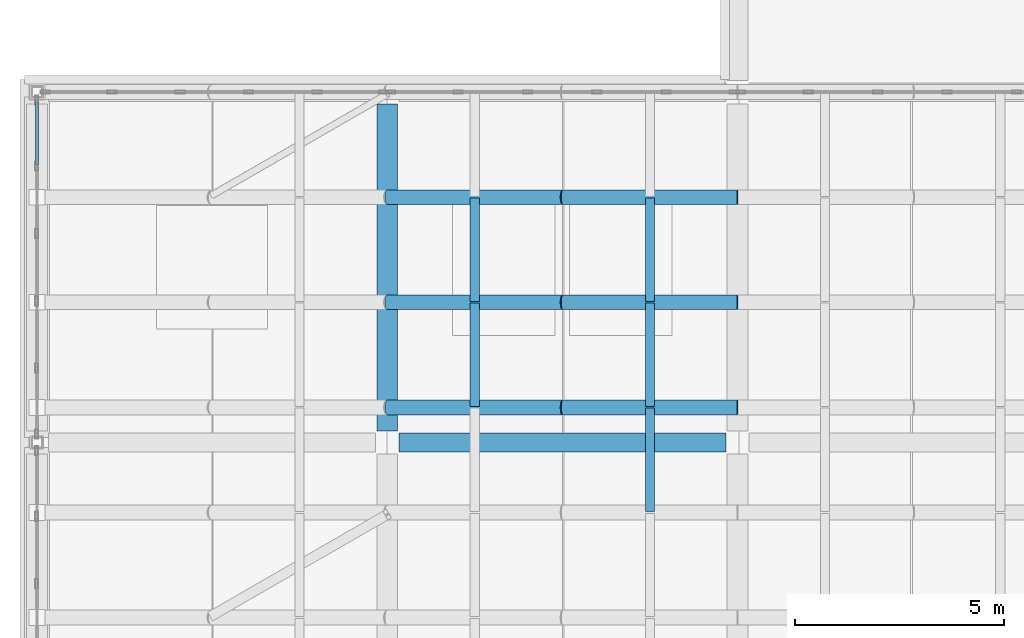
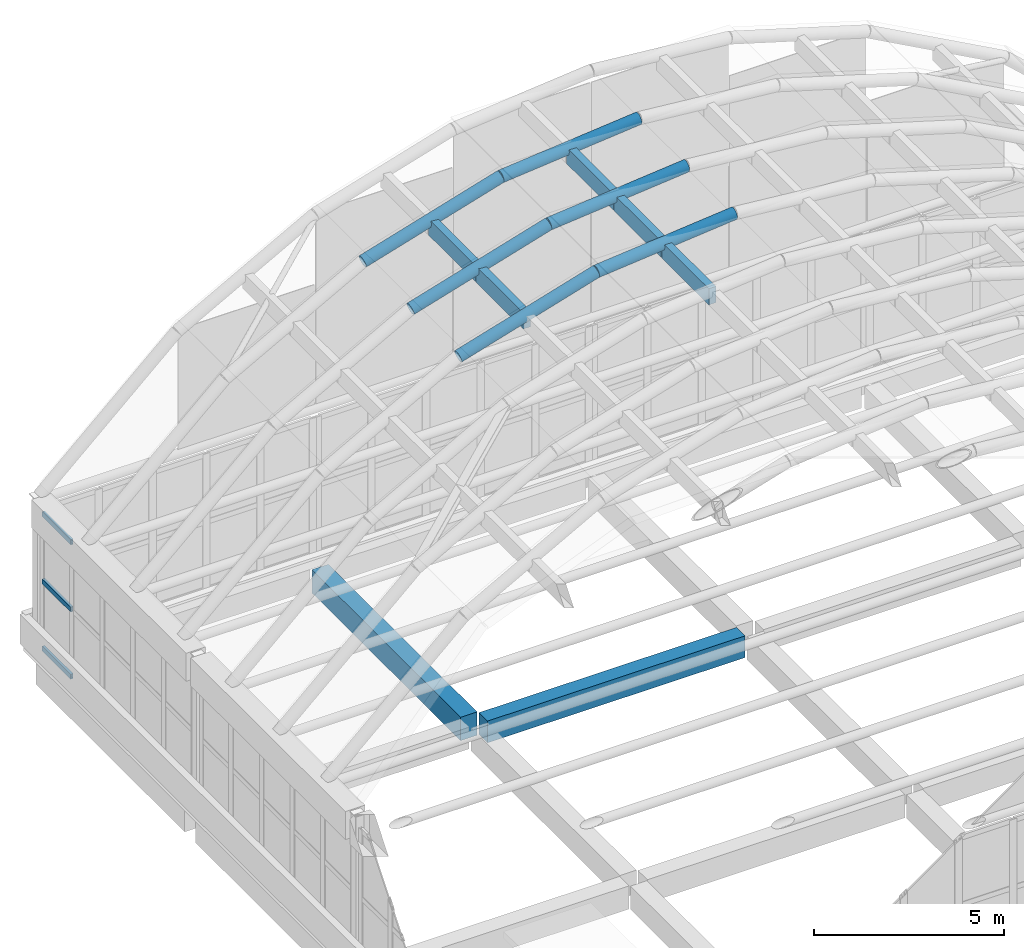
# One storey, part 14 of 26: 8 beams, 8 members, 1 element without a shape of its own.
"""IFC4 building model written with IfcOpenShell, lengths in metres."""

from ifc_helpers import new_model, si_unit, direction, frame, origin, origin_2d, place, context, subcontext, project, spatial, rectangle, hollow_rectangle, hollow_circle, extrude, material, layer, layer_set, material_profile, profile_set, type_object, element, aggregate, save


model = new_model("IFC4")

# Units and contexts
model_context = context("Model", 3, precision=1e-05, world=origin(), true_north=direction((0.0, 1.0)))
body_context = subcontext(model_context, "Body", "Model", "MODEL_VIEW")
ifc_project = project(units=[si_unit("LENGTHUNIT", "METRE"), si_unit("AREAUNIT", "SQUARE_METRE"), si_unit("VOLUMEUNIT", "CUBIC_METRE"), si_unit("PLANEANGLEUNIT", "RADIAN"), si_unit("MASSUNIT", "GRAM", prefix="KILO")], contexts=[model_context])

# Site, building, storey
site_placement = place(None, origin())
site = spatial("IfcSite", under=ifc_project, at=site_placement, CompositionType="ELEMENT")
building_placement = place(site_placement, origin())
building = spatial("IfcBuilding", under=site, at=building_placement, Name="Xazarin Passage Department Store", CompositionType="ELEMENT")
storey_placement = place(building_placement, frame((0.0, 0.0, 36.89990234375)))
storey = spatial("IfcBuildingStorey", under=building, at=storey_placement, Name="RF", CompositionType="ELEMENT", Elevation=36.89990234375)

# Curtain wall, members
ifc_material_1 = material(Name="Bronze anodised aluminium", Category="aluminium")
ifc_layer = layer(ifc_material_1, 0.199951171875)
ifc_layer_set = layer_set([ifc_layer], Name="Bronze anodised aluminium")
curtain_wall_type = type_object("IfcCurtainWallType", Name="ARC-CW-VIT2", PredefinedType="NOTDEFINED", material=ifc_layer_set)
curtain_wall_placement = place(storey_placement, origin())
curtain_wall = element("IfcCurtainWall", 1, at=curtain_wall_placement, inside=storey, type_object=curtain_wall_type, Name="RF V1 Atrium Lantern Curtain Wall 05", PredefinedType="NOTDEFINED")
ifc_material_profile_1 = material_profile(ifc_material_1, hollow_rectangle(XDim=0.074951171875, YDim=0.159912109375, WallThickness=0.00439453125, at=origin_2d()), Name="ALU 75x160")
ifc_profile_set_1 = profile_set([ifc_material_profile_1], Name="Bronze anodised aluminium")
member_type_1 = type_object("IfcMemberType", Name="ARC-CWT-75x160", PredefinedType="USERDEFINED", material=ifc_profile_set_1)
member_1_placement = place(storey_placement, frame((0.0, 99.861572265625, 0.03759765625), z_axis=(0.0, 1.0, 0.0), x_axis=(-1.0, 0.0, 0.0)))
member_1 = element("IfcMember", 2, at=member_1_placement, type_object=member_type_1, Name="CW2 transom 5.1", ObjectType="TRANSOM", PredefinedType="USERDEFINED", context=body_context, shape_type="SweptSolid", body=[
    extrude(hollow_rectangle(XDim=0.074951171875, YDim=0.159912109375, WallThickness=0.00439453125, at=origin_2d()), origin(), (0.0, 0.0, 1.0), 1.50341796875),
])
member_2_placement = place(storey_placement, frame((0.0, 99.861572265625, 2.2021484375), z_axis=(0.0, 1.0, 0.0), x_axis=(-1.0, 0.0, 0.0)))
member_2 = element("IfcMember", 3, at=member_2_placement, type_object=member_type_1, Name="CW2 transom 5.2", ObjectType="TRANSOM", PredefinedType="USERDEFINED", context=body_context, shape_type="SweptSolid", body=[
    extrude(hollow_rectangle(XDim=0.074951171875, YDim=0.159912109375, WallThickness=0.00439453125, at=origin_2d()), origin(), (0.0, 0.0, 1.0), 1.50341796875),
])
member_3_placement = place(storey_placement, frame((0.0, 99.861572265625, 4.36669921875), z_axis=(0.0, 1.0, 0.0), x_axis=(-1.0, 0.0, 0.0)))
member_3 = element("IfcMember", 4, at=member_3_placement, type_object=member_type_1, Name="CW2 transom 5.3", ObjectType="TRANSOM", PredefinedType="USERDEFINED", context=body_context, shape_type="SweptSolid", body=[
    extrude(hollow_rectangle(XDim=0.074951171875, YDim=0.159912109375, WallThickness=0.00439453125, at=origin_2d()), origin(), (0.0, 0.0, 1.0), 1.50341796875),
])
aggregate(curtain_wall, [member_1, member_2, member_3])

# Beams
ifc_material_2 = material(Name="Steel S355", Category="steel")
ifc_material_profile_2 = material_profile(ifc_material_2, hollow_circle(Radius=0.177734375, WallThickness=0.01611328125, at=origin_2d()), Name="CHS 355.6x16")
ifc_profile_set_2 = profile_set([ifc_material_profile_2], Name="Steel S355")
beam_type_1 = type_object("IfcBeamType", Name="STR-BM-AR355", PredefinedType="BEAM", material=ifc_profile_set_2)
beam_1_placement = place(storey_placement, frame((8.39990234375, 94.0400390625, 10.933349609375), z_axis=(0.95770669563, 0.0, 0.287746216561), x_axis=(0.0, 1.0, 0.0)))
element("IfcBeam", 5, at=beam_1_placement, inside=storey, type_object=beam_type_1, Name="V1V Primary Arch Rib 8.3", PredefinedType="BEAM", context=body_context, shape_type="SweptSolid", body=[
    extrude(hollow_circle(Radius=0.177734375, WallThickness=0.01611328125, at=origin_2d()), origin(), (0.0, 0.0, 1.0), 4.3857421875),
])
beam_2_placement = place(storey_placement, frame((12.60009765625, 94.0400390625, 12.1953125), z_axis=(0.995387696044, 0.0, 0.095934011512), x_axis=(0.0, 1.0, 0.0)))
element("IfcBeam", 6, at=beam_2_placement, inside=storey, type_object=beam_type_1, Name="V1V Primary Arch Rib 8.4", PredefinedType="BEAM", context=body_context, shape_type="SweptSolid", body=[
    extrude(hollow_circle(Radius=0.177734375, WallThickness=0.01611328125, at=origin_2d()), origin(), (0.0, 0.0, 1.0), 4.219482421875),
])
beam_3_placement = place(storey_placement, frame((8.39990234375, 96.56005859375, 10.933349609375), z_axis=(0.95770669563, 0.0, 0.287746216561), x_axis=(0.0, 1.0, 0.0)))
element("IfcBeam", 7, at=beam_3_placement, inside=storey, type_object=beam_type_1, Name="V1V Primary Arch Rib 9.3", PredefinedType="BEAM", context=body_context, shape_type="SweptSolid", body=[
    extrude(hollow_circle(Radius=0.177734375, WallThickness=0.01611328125, at=origin_2d()), origin(), (0.0, 0.0, 1.0), 4.3857421875),
])
beam_4_placement = place(storey_placement, frame((12.60009765625, 96.56005859375, 12.1953125), z_axis=(0.995387696044, 0.0, 0.095934011512), x_axis=(0.0, 1.0, 0.0)))
element("IfcBeam", 8, at=beam_4_placement, inside=storey, type_object=beam_type_1, Name="V1V Primary Arch Rib 9.4", PredefinedType="BEAM", context=body_context, shape_type="SweptSolid", body=[
    extrude(hollow_circle(Radius=0.177734375, WallThickness=0.01611328125, at=origin_2d()), origin(), (0.0, 0.0, 1.0), 4.219482421875),
])
beam_5_placement = place(storey_placement, frame((8.39990234375, 99.080078125, 10.933349609375), z_axis=(0.95770669563, 0.0, 0.287746216561), x_axis=(0.0, 1.0, 0.0)))
element("IfcBeam", 9, at=beam_5_placement, inside=storey, type_object=beam_type_1, Name="V1V Primary Arch Rib 10.3", PredefinedType="BEAM", context=body_context, shape_type="SweptSolid", body=[
    extrude(hollow_circle(Radius=0.177734375, WallThickness=0.01611328125, at=origin_2d()), origin(), (0.0, 0.0, 1.0), 4.3857421875),
])
beam_6_placement = place(storey_placement, frame((12.60009765625, 99.080078125, 12.1953125), z_axis=(0.995387696044, 0.0, 0.095934011512), x_axis=(0.0, 1.0, 0.0)))
element("IfcBeam", 10, at=beam_6_placement, inside=storey, type_object=beam_type_1, Name="V1V Primary Arch Rib 10.4", PredefinedType="BEAM", context=body_context, shape_type="SweptSolid", body=[
    extrude(hollow_circle(Radius=0.177734375, WallThickness=0.01611328125, at=origin_2d()), origin(), (0.0, 0.0, 1.0), 4.219482421875),
])
ifc_material_3 = material(Name="Concrete C35/45", Category="concrete")
ifc_material_profile_3 = material_profile(ifc_material_3, rectangle(XDim=0.449951171875, YDim=0.699951171875, at=origin_2d()), Name="RC 450x700")
ifc_profile_set_3 = profile_set([ifc_material_profile_3], Name="Concrete C35/45")
beam_type_2 = type_object("IfcBeamType", Name="STR-BM-G450x700", PredefinedType="BEAM", material=ifc_profile_set_3)
beam_7_placement = place(storey_placement, frame((8.679931640625, 93.199951171875, -0.60986328125), z_axis=(1.0, 0.0, 0.0), x_axis=(0.0, 1.0, 0.0)))
element("IfcBeam", 11, at=beam_7_placement, inside=storey, type_object=beam_type_2, Name="RF Grid Beam N/2-3", PredefinedType="BEAM", context=body_context, shape_type="SweptSolid", body=[
    extrude(rectangle(XDim=0.449951171875, YDim=0.699951171875, at=origin_2d()), origin(), (0.0, 0.0, 1.0), 7.840087890625),
])
ifc_material_profile_4 = material_profile(ifc_material_3, rectangle(XDim=0.5, YDim=0.75, at=origin_2d()), Name="RC 500x750")
ifc_profile_set_4 = profile_set([ifc_material_profile_4], Name="Concrete C35/45")
beam_type_3 = type_object("IfcBeamType", Name="STR-BM-SP500x750", PredefinedType="SPANDREL", material=ifc_profile_set_4)
beam_8_placement = place(storey_placement, frame((8.39990234375, 93.47998046875, -0.635009765625), z_axis=(0.0, 1.0, 0.0), x_axis=(-1.0, 0.0, 0.0)))
element("IfcBeam", 12, at=beam_8_placement, inside=storey, type_object=beam_type_3, Name="RF Grid Beam 2/N-P", PredefinedType="SPANDREL", context=body_context, shape_type="SweptSolid", body=[
    extrude(rectangle(XDim=0.5, YDim=0.75, at=origin_2d()), origin(), (0.0, 0.0, 1.0), 7.840087890625),
])

# Members
ifc_material_4 = material(Name="Glulam GL28h", Category="wood")
ifc_material_profile_5 = material_profile(ifc_material_4, rectangle(XDim=0.219970703125, YDim=0.52001953125, at=origin_2d()), Name="GL28h 220x520")
ifc_profile_set_5 = profile_set([ifc_material_profile_5], Name="Glulam GL28h")
member_type_2 = type_object("IfcMemberType", Name="STR-MEM-GL520", PredefinedType="PURLIN", material=ifc_profile_set_5)
for number, where, z_axis, x_axis, name in (
    (13, (14.699951171875, 91.5400390625, 12.195556640625), (0.0, 1.0, 0.0), (-1.0, 0.0, 0.0), "V1V Glulam Gridshell Purlin 7.4"),
    (14, (10.5, 94.06005859375, 11.3623046875), (0.0, 1.0, 0.0), (-1.0, 0.0, 0.0), "V1V Glulam Gridshell Purlin 8.3"),
    (15, (14.699951171875, 94.06005859375, 12.195556640625), (0.0, 1.0, 0.0), (-1.0, 0.0, 0.0), "V1V Glulam Gridshell Purlin 8.4"),
    (16, (10.5, 96.580078125, 11.3623046875), (0.0, 1.0, 0.0), (-1.0, 0.0, 0.0), "V1V Glulam Gridshell Purlin 9.3"),
    (17, (14.699951171875, 96.580078125, 12.195556640625), (0.0, 1.0, 0.0), (-1.0, 0.0, 0.0), "V1V Glulam Gridshell Purlin 9.4"),
):
    element("IfcMember", number, at=place(storey_placement, frame(where, z_axis=z_axis, x_axis=x_axis)), inside=storey, type_object=member_type_2, Name=name, PredefinedType="PURLIN", context=body_context, shape_type="SweptSolid", body=[
        extrude(rectangle(XDim=0.219970703125, YDim=0.52001953125, at=origin_2d()), origin(), (0.0, 0.0, 1.0), 2.47998046875),
    ])

save(model, "model.ifc")
